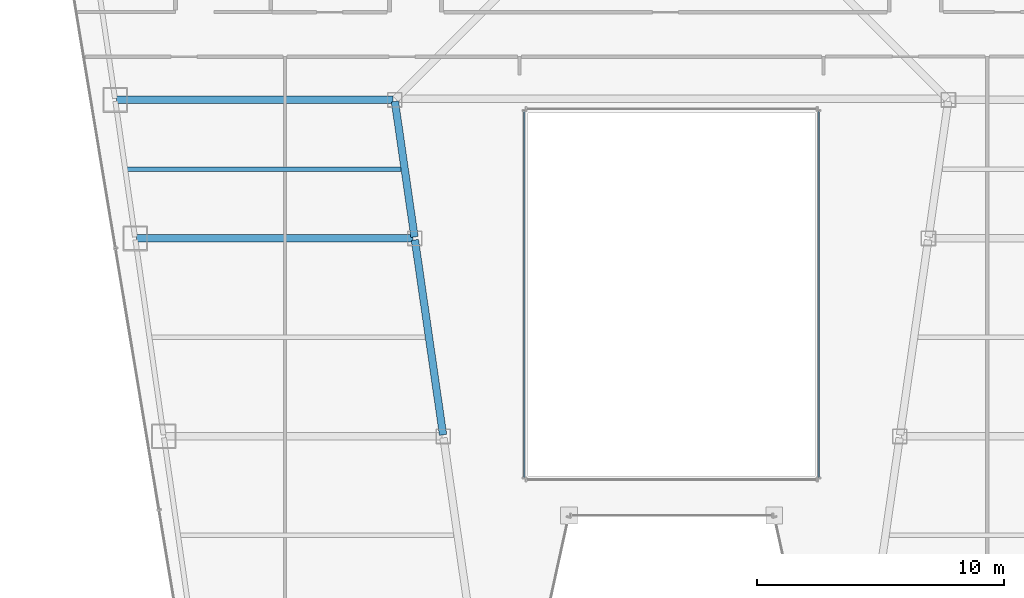
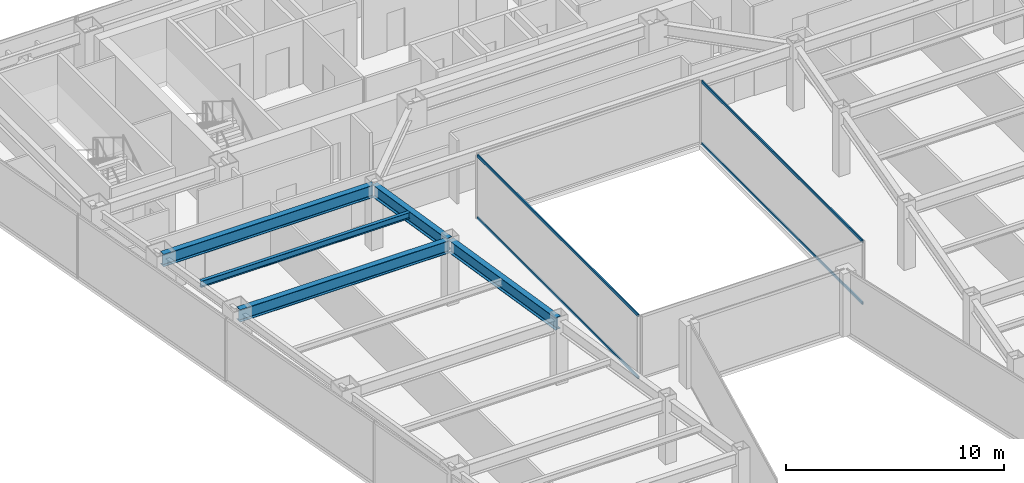
# One storey, part 10 of 36: 5 beams, 4 members, 2 elements without a shape of their own.
"""IFC4 building model written with IfcOpenShell, lengths in metres."""

from ifc_helpers import new_model, si_unit, direction, frame, origin, origin_2d, place, context, subcontext, project, spatial, hollow_rectangle, i_section, extrude, material, material_profile, profile_set, type_object, element, aggregate, save


model = new_model("IFC4")

# Units and contexts
model_context = context("Model", 3, precision=1e-05, world=origin(), true_north=direction((0.0, 1.0)))
body_context = subcontext(model_context, "Body", "Model", "MODEL_VIEW")
ifc_project = project(units=[si_unit("LENGTHUNIT", "METRE"), si_unit("AREAUNIT", "SQUARE_METRE"), si_unit("VOLUMEUNIT", "CUBIC_METRE"), si_unit("PLANEANGLEUNIT", "RADIAN"), si_unit("MASSUNIT", "GRAM", prefix="KILO")], contexts=[model_context])

# Site, building, storey
site_placement = place(None, origin())
site = spatial("IfcSite", under=ifc_project, at=site_placement, CompositionType="ELEMENT")
building_placement = place(site_placement, origin())
building = spatial("IfcBuilding", under=site, at=building_placement, Name="Saevonmaru Cultural Tower", CompositionType="ELEMENT")
storey_placement = place(building_placement, frame((0.0, 0.0, 152.39990234375)))
storey = spatial("IfcBuildingStorey", under=building, at=storey_placement, Name="L33", CompositionType="ELEMENT", Elevation=152.39990234375)

# Beams
ifc_material_1 = material(Name="Steel SM355", Category="steel")
ifc_material_profile_1 = material_profile(ifc_material_1, i_section(OverallWidth=0.300048828125, OverallDepth=0.699951171875, WebThickness=0.012939453125, FlangeThickness=0.02392578125, FilletRadius=0.02587890625, at=origin_2d()), Name="H-700x300x13x24")
ifc_profile_set_1 = profile_set([ifc_material_profile_1], Name="Steel SM355")
beam_type_1 = type_object("IfcBeamType", Name="BM-G-H700", PredefinedType="BEAM", material=ifc_profile_set_1)
beam_1_placement = place(storey_placement, frame((20.763427734375, 24.059326171875, 3.2001953125), z_axis=(-0.142902032203, 0.989736838353, 0.0), x_axis=(-0.989736838353, -0.142902032203, 0.0)))
element("IfcBeam", 1, at=beam_1_placement, inside=storey, type_object=beam_type_1, Name="L33 West Atrium Girder 3", PredefinedType="BEAM", context=body_context, shape_type="SweptSolid", body=[
    extrude(i_section(OverallWidth=0.300048828125, OverallDepth=0.699951171875, WebThickness=0.012939453125, FlangeThickness=0.02392578125, FilletRadius=0.02587890625, at=origin_2d()), origin(), (0.0, 0.0, 1.0), 7.963134765625),
])
beam_2_placement = place(storey_placement, frame((19.6083984375, 32.059326171875, 3.2001953125), z_axis=(-0.142964121327, 0.989727871697, 0.0), x_axis=(-0.989727871697, -0.142964121327, 0.0)))
element("IfcBeam", 2, at=beam_2_placement, inside=storey, type_object=beam_type_1, Name="L33 West Atrium Girder 4", PredefinedType="BEAM", context=body_context, shape_type="SweptSolid", body=[
    extrude(i_section(OverallWidth=0.300048828125, OverallDepth=0.699951171875, WebThickness=0.012939453125, FlangeThickness=0.02392578125, FilletRadius=0.02587890625, at=origin_2d()), origin(), (0.0, 0.0, 1.0), 5.5380859375),
])
for number, where, z_axis, x_axis, name in (
    (3, (8.376953125, 32.0, 3.2001953125), (1.0, 0.0, 0.0), (0.0, 1.0, 0.0), "L33 West Wing Transverse Girder 4"),
    (4, (7.568115234375, 37.60009765625, 3.2001953125), (1.0, 0.0, 0.0), (0.0, 1.0, 0.0), "L33 West Wing Transverse Girder 5"),
):
    element("IfcBeam", number, at=place(storey_placement, frame(where, z_axis=z_axis, x_axis=x_axis)), inside=storey, type_object=beam_type_1, Name=name, PredefinedType="BEAM", context=body_context, shape_type="SweptSolid", body=[
        extrude(i_section(OverallWidth=0.300048828125, OverallDepth=0.699951171875, WebThickness=0.012939453125, FlangeThickness=0.02392578125, FilletRadius=0.02587890625, at=origin_2d()), origin(), (0.0, 0.0, 1.0), 11.179931640625),
    ])
ifc_material_profile_2 = material_profile(ifc_material_1, i_section(OverallWidth=0.175048828125, OverallDepth=0.35009765625, WebThickness=0.007080078125, FlangeThickness=0.010986328125, FilletRadius=0.012939453125, at=origin_2d()), Name="H-350x175x7x11")
ifc_profile_set_2 = profile_set([ifc_material_profile_2], Name="Steel SM355")
beam_type_2 = type_object("IfcBeamType", Name="BM-J-H350", PredefinedType="JOIST", material=ifc_profile_set_2)
beam_3_placement = place(storey_placement, frame((7.972412109375, 34.800048828125, 3.375), z_axis=(1.0, 0.0, 0.0), x_axis=(0.0, 1.0, 0.0)))
element("IfcBeam", 5, at=beam_3_placement, inside=storey, type_object=beam_type_2, Name="L33 West Wing Floor Joist 4", PredefinedType="JOIST", context=body_context, shape_type="SweptSolid", body=[
    extrude(i_section(OverallWidth=0.175048828125, OverallDepth=0.35009765625, WebThickness=0.007080078125, FlangeThickness=0.010986328125, FilletRadius=0.012939453125, at=origin_2d()), origin(), (0.0, 0.0, 1.0), 11.08203125),
])

# Curtain wall, members
ifc_material_2 = material(Name="Satin Bronze Anodised Aluminium", Category="aluminium")
curtain_wall_type = type_object("IfcCurtainWallType", Name="CW-ATR-GLZ", PredefinedType="NOTDEFINED", material=ifc_material_2)
curtain_wall_1_placement = place(storey_placement, origin())
curtain_wall_1 = element("IfcCurtainWall", 6, at=curtain_wall_1_placement, inside=storey, type_object=curtain_wall_type, Name="L33 Vertical Atrium Glazed Smoke Screen 2", PredefinedType="NOTDEFINED")
ifc_material_profile_3 = material_profile(ifc_material_2, hollow_rectangle(XDim=0.06494140625, YDim=0.14990234375, WallThickness=0.00390625, at=origin_2d()), Name="ALU-TRAN-150x65x4")
ifc_profile_set_3 = profile_set([ifc_material_profile_3], Name="Satin Bronze Anodised Aluminium")
member_type = type_object("IfcMemberType", Name="TR-CW-INT-150x65", PredefinedType="USERDEFINED", material=ifc_profile_set_3)
member_1_placement = place(storey_placement, frame((35.949951171875, 22.342529296875, 0.03271484375), z_axis=(0.0, 1.0, 0.0), x_axis=(-1.0, 0.0, 0.0)))
member_1 = element("IfcMember", 7, at=member_1_placement, type_object=member_type, Name="CW-ATR-L33-2 transom 1.1", ObjectType="TRANSOM", PredefinedType="USERDEFINED", context=body_context, shape_type="SweptSolid", body=[
    extrude(hollow_rectangle(XDim=0.06494140625, YDim=0.14990234375, WallThickness=0.00390625, at=origin_2d()), origin(), (0.0, 0.0, 1.0), 14.794921875),
])
member_2_placement = place(storey_placement, frame((35.949951171875, 22.342529296875, 3.517578125), z_axis=(0.0, 1.0, 0.0), x_axis=(-1.0, 0.0, 0.0)))
member_2 = element("IfcMember", 8, at=member_2_placement, type_object=member_type, Name="CW-ATR-L33-2 transom 1.2", ObjectType="TRANSOM", PredefinedType="USERDEFINED", context=body_context, shape_type="SweptSolid", body=[
    extrude(hollow_rectangle(XDim=0.06494140625, YDim=0.14990234375, WallThickness=0.00390625, at=origin_2d()), origin(), (0.0, 0.0, 1.0), 14.794921875),
])
aggregate(curtain_wall_1, [member_1, member_2])

curtain_wall_2_placement = place(storey_placement, origin())
curtain_wall_2 = element("IfcCurtainWall", 9, at=curtain_wall_2_placement, inside=storey, type_object=curtain_wall_type, Name="L33 Vertical Atrium Glazed Smoke Screen 4", PredefinedType="NOTDEFINED")
member_3_placement = place(storey_placement, frame((24.050048828125, 37.137451171875, 0.03271484375), z_axis=(0.0, -1.0, 0.0), x_axis=(1.0, 0.0, 0.0)))
member_3 = element("IfcMember", 10, at=member_3_placement, type_object=member_type, Name="CW-ATR-L33-4 transom 1.1", ObjectType="TRANSOM", PredefinedType="USERDEFINED", context=body_context, shape_type="SweptSolid", body=[
    extrude(hollow_rectangle(XDim=0.06494140625, YDim=0.14990234375, WallThickness=0.00390625, at=origin_2d()), origin(), (0.0, 0.0, 1.0), 14.794921875),
])
member_4_placement = place(storey_placement, frame((24.050048828125, 37.137451171875, 3.517578125), z_axis=(0.0, -1.0, 0.0), x_axis=(1.0, 0.0, 0.0)))
member_4 = element("IfcMember", 11, at=member_4_placement, type_object=member_type, Name="CW-ATR-L33-4 transom 1.2", ObjectType="TRANSOM", PredefinedType="USERDEFINED", context=body_context, shape_type="SweptSolid", body=[
    extrude(hollow_rectangle(XDim=0.06494140625, YDim=0.14990234375, WallThickness=0.00390625, at=origin_2d()), origin(), (0.0, 0.0, 1.0), 14.794921875),
])
aggregate(curtain_wall_2, [member_3, member_4])

save(model, "model.ifc")
